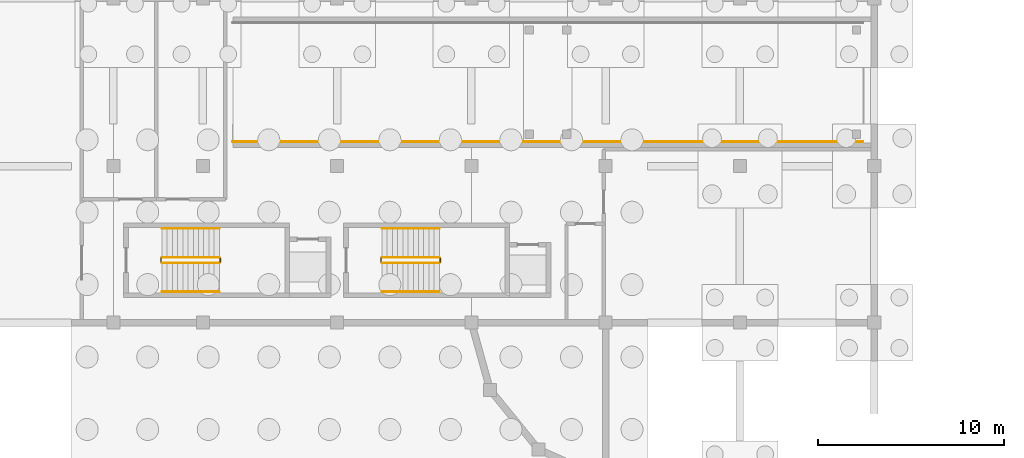
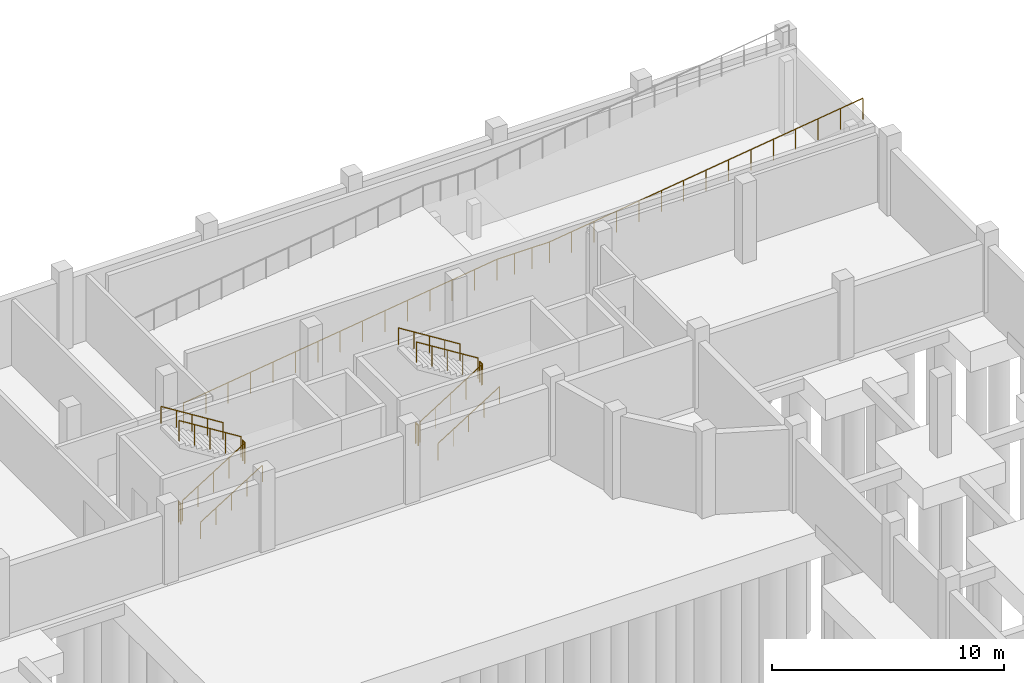
# One storey, part 20 of 22: 13 railings.
"""IFC4 building model written with IfcOpenShell, lengths in metres."""

from ifc_helpers import new_model, si_unit, direction, frame, origin, origin_2d, place, context, subcontext, project, spatial, circle, extrude, material, type_object, element, save


model = new_model("IFC4")

# Units and contexts
model_context = context("Model", 3, precision=1e-05, world=origin(), true_north=direction((0.0, 1.0)))
body_context = subcontext(model_context, "Body", "Model", "MODEL_VIEW")
ifc_project = project(units=[si_unit("LENGTHUNIT", "METRE"), si_unit("AREAUNIT", "SQUARE_METRE"), si_unit("VOLUMEUNIT", "CUBIC_METRE"), si_unit("PLANEANGLEUNIT", "RADIAN"), si_unit("MASSUNIT", "GRAM", prefix="KILO")], contexts=[model_context])

# Site, building, storey
site_placement = place(None, origin())
site = spatial("IfcSite", under=ifc_project, at=site_placement, CompositionType="ELEMENT")
building_placement = place(site_placement, origin())
building = spatial("IfcBuilding", under=site, at=building_placement, Name="Kahlenmark Community Centre", CompositionType="ELEMENT")
storey_placement = place(building_placement, frame((0.0, 0.0, -4.199951171875)))
storey = spatial("IfcBuildingStorey", under=building, at=storey_placement, Name="B1", CompositionType="ELEMENT", Elevation=-4.199951171875)

# Railings
ifc_material_1 = material(Name="Powder-coated galvanized steel balustrade", Category="steel")
railing_type_1 = type_object("IfcRailingType", Name="RLT-BAL-1120", PredefinedType="BALUSTRADE", material=ifc_material_1)
railing_1_placement = place(storey_placement, frame((52.39990234375, 107.31005859375, 0.0)))
element("IfcRailing", 1, at=railing_1_placement, inside=storey, type_object=railing_type_1, Name="Vehicle ramp raking guard S", PredefinedType="BALUSTRADE", context=body_context, shape_type="SweptSolid", body=[
    extrude(circle(Radius=0.02392578125, at=origin_2d()), frame((0.0, 0.0, 1.09619140625), z_axis=(0.991062002435, 0.0, 0.133402051441), x_axis=(0.0, 1.0, 0.0)), (0.0, 0.0, 1.0), 15.74072265625),
    extrude(circle(Radius=0.02392578125, at=origin_2d()), frame((15.60009765625, 0.0, 3.19580078125), z_axis=(1.0, 0.0, 0.0), x_axis=(0.0, 1.0, 0.0)), (0.0, 0.0, 1.0), 2.60009765625),
    extrude(circle(Radius=0.02392578125, at=origin_2d()), frame((18.2001953125, 0.0, 3.19580078125), z_axis=(0.991059675654, 0.0, 0.133419336275), x_axis=(0.0, 1.0, 0.0)), (0.0, 0.0, 1.0), 15.740478515625),
    extrude(circle(Radius=0.02099609375, at=origin_2d()), origin(), (0.0, 0.0, 1.0), 1.072021484375),
    extrude(circle(Radius=0.02099609375, at=origin_2d()), frame((1.1142578125, 0.0, 0.14990234375)), (0.0, 0.0, 1.0), 1.072021484375),
    extrude(circle(Radius=0.02099609375, at=origin_2d()), frame((2.228515625, 0.0, 0.300048828125)), (0.0, 0.0, 1.0), 1.072021484375),
    extrude(circle(Radius=0.02099609375, at=origin_2d()), frame((3.3427734375, 0.0, 0.449951171875)), (0.0, 0.0, 1.0), 1.072021484375),
    extrude(circle(Radius=0.02099609375, at=origin_2d()), frame((4.457275390625, 0.0, 0.599853515625)), (0.0, 0.0, 1.0), 1.072021484375),
    extrude(circle(Radius=0.02099609375, at=origin_2d()), frame((5.571533203125, 0.0, 0.75)), (0.0, 0.0, 1.0), 1.072021484375),
    extrude(circle(Radius=0.02099609375, at=origin_2d()), frame((6.685791015625, 0.0, 0.89990234375)), (0.0, 0.0, 1.0), 1.072021484375),
    extrude(circle(Radius=0.02099609375, at=origin_2d()), frame((7.800048828125, 0.0, 1.0498046875)), (0.0, 0.0, 1.0), 1.072021484375),
    extrude(circle(Radius=0.02099609375, at=origin_2d()), frame((8.914306640625, 0.0, 1.199951171875)), (0.0, 0.0, 1.0), 1.072021484375),
    extrude(circle(Radius=0.02099609375, at=origin_2d()), frame((10.028564453125, 0.0, 1.349853515625)), (0.0, 0.0, 1.0), 1.072021484375),
    extrude(circle(Radius=0.02099609375, at=origin_2d()), frame((11.142822265625, 0.0, 1.5)), (0.0, 0.0, 1.0), 1.072021484375),
    extrude(circle(Radius=0.02099609375, at=origin_2d()), frame((12.25732421875, 0.0, 1.64990234375)), (0.0, 0.0, 1.0), 1.072021484375),
    extrude(circle(Radius=0.02099609375, at=origin_2d()), frame((13.37158203125, 0.0, 1.7998046875)), (0.0, 0.0, 1.0), 1.072021484375),
    extrude(circle(Radius=0.02099609375, at=origin_2d()), frame((14.48583984375, 0.0, 1.949951171875)), (0.0, 0.0, 1.0), 1.072021484375),
    extrude(circle(Radius=0.02099609375, at=origin_2d()), frame((15.60009765625, 0.0, 2.099853515625)), (0.0, 0.0, 1.0), 1.072021484375),
    extrude(circle(Radius=0.02099609375, at=origin_2d()), frame((16.466796875, 0.0, 2.099853515625)), (0.0, 0.0, 1.0), 1.072021484375),
    extrude(circle(Radius=0.02099609375, at=origin_2d()), frame((17.33349609375, 0.0, 2.099853515625)), (0.0, 0.0, 1.0), 1.072021484375),
    extrude(circle(Radius=0.02099609375, at=origin_2d()), frame((18.2001953125, 0.0, 2.099853515625)), (0.0, 0.0, 1.0), 1.072021484375),
    extrude(circle(Radius=0.02099609375, at=origin_2d()), frame((19.314453125, 0.0, 2.249755859375)), (0.0, 0.0, 1.0), 1.072021484375),
    extrude(circle(Radius=0.02099609375, at=origin_2d()), frame((20.4287109375, 0.0, 2.39990234375)), (0.0, 0.0, 1.0), 1.072021484375),
    extrude(circle(Radius=0.02099609375, at=origin_2d()), frame((21.54296875, 0.0, 2.5498046875)), (0.0, 0.0, 1.0), 1.072021484375),
    extrude(circle(Radius=0.02099609375, at=origin_2d()), frame((22.6572265625, 0.0, 2.699951171875)), (0.0, 0.0, 1.0), 1.072021484375),
    extrude(circle(Radius=0.02099609375, at=origin_2d()), frame((23.771484375, 0.0, 2.849853515625)), (0.0, 0.0, 1.0), 1.072021484375),
    extrude(circle(Radius=0.02099609375, at=origin_2d()), frame((24.8857421875, 0.0, 3.0)), (0.0, 0.0, 1.0), 1.072021484375),
    extrude(circle(Radius=0.02099609375, at=origin_2d()), frame((26.0, 0.0, 3.14990234375)), (0.0, 0.0, 1.0), 1.072021484375),
    extrude(circle(Radius=0.02099609375, at=origin_2d()), frame((27.114501953125, 0.0, 3.2998046875)), (0.0, 0.0, 1.0), 1.072021484375),
    extrude(circle(Radius=0.02099609375, at=origin_2d()), frame((28.228759765625, 0.0, 3.449951171875)), (0.0, 0.0, 1.0), 1.072021484375),
    extrude(circle(Radius=0.02099609375, at=origin_2d()), frame((29.343017578125, 0.0, 3.599853515625)), (0.0, 0.0, 1.0), 1.072021484375),
    extrude(circle(Radius=0.02099609375, at=origin_2d()), frame((30.457275390625, 0.0, 3.75)), (0.0, 0.0, 1.0), 1.072021484375),
    extrude(circle(Radius=0.02099609375, at=origin_2d()), frame((31.571533203125, 0.0, 3.89990234375)), (0.0, 0.0, 1.0), 1.072021484375),
    extrude(circle(Radius=0.02099609375, at=origin_2d()), frame((32.685791015625, 0.0, 4.050048828125)), (0.0, 0.0, 1.0), 1.072021484375),
    extrude(circle(Radius=0.02099609375, at=origin_2d()), frame((33.800048828125, 0.0, 4.199951171875)), (0.0, 0.0, 1.0), 1.072021484375),
])
ifc_material_2 = material(Name="Brushed stainless steel 1.4301 handrail", Category="steel")
railing_type_2 = type_object("IfcRailingType", Name="RLT-HR-900", PredefinedType="HANDRAIL", material=ifc_material_2)
railing_2_placement = place(storey_placement, frame((48.60009765625, 99.25, 0.175048828125)))
element("IfcRailing", 2, at=railing_2_placement, inside=storey, type_object=railing_type_2, Name="B1 ST-04 stair handrail 1", PredefinedType="HANDRAIL", context=body_context, shape_type="SweptSolid", body=[
    extrude(circle(Radius=0.02392578125, at=origin_2d()), frame((0.0, 0.0, 0.8759765625), z_axis=(0.848009633417, 0.0, 0.529980812513), x_axis=(0.0, 1.0, 0.0)), (0.0, 0.0, 1.0), 3.6318359375),
    extrude(circle(Radius=0.02099609375, at=origin_2d()), origin(), (0.0, 0.0, 1.0), 0.851806640625),
    extrude(circle(Radius=0.02099609375, at=origin_2d()), frame((0.77001953125, 0.0, 0.481201171875)), (0.0, 0.0, 1.0), 0.851806640625),
    extrude(circle(Radius=0.02099609375, at=origin_2d()), frame((1.5400390625, 0.0, 0.96240234375)), (0.0, 0.0, 1.0), 0.851806640625),
    extrude(circle(Radius=0.02099609375, at=origin_2d()), frame((2.309814453125, 0.0, 1.443603515625)), (0.0, 0.0, 1.0), 0.851806640625),
    extrude(circle(Radius=0.02099609375, at=origin_2d()), frame((3.079833984375, 0.0, 1.9248046875)), (0.0, 0.0, 1.0), 0.851806640625),
])
railing_3_placement = place(storey_placement, frame((51.679931640625, 102.64990234375, 2.27490234375)))
element("IfcRailing", 3, at=railing_3_placement, inside=storey, type_object=railing_type_2, Name="B1 ST-04 stair handrail 2", PredefinedType="HANDRAIL", context=body_context, shape_type="SweptSolid", body=[
    extrude(circle(Radius=0.02392578125, at=origin_2d()), frame((0.0, 0.0, 0.8759765625), z_axis=(-0.847979421464, 0.0, 0.530029150871), x_axis=(0.0, -1.0, 0.0)), (0.0, 0.0, 1.0), 3.632080078125),
    extrude(circle(Radius=0.02099609375, at=origin_2d()), origin(), (0.0, 0.0, 1.0), 0.851806640625),
    extrude(circle(Radius=0.02099609375, at=origin_2d()), frame((-0.77001953125, 0.0, 0.481201171875)), (0.0, 0.0, 1.0), 0.851806640625),
    extrude(circle(Radius=0.02099609375, at=origin_2d()), frame((-1.5400390625, 0.0, 0.96240234375)), (0.0, 0.0, 1.0), 0.851806640625),
    extrude(circle(Radius=0.02099609375, at=origin_2d()), frame((-2.309814453125, 0.0, 1.44384765625)), (0.0, 0.0, 1.0), 0.851806640625),
    extrude(circle(Radius=0.02099609375, at=origin_2d()), frame((-3.079833984375, 0.0, 1.925048828125)), (0.0, 0.0, 1.0), 0.851806640625),
])
railing_4_placement = place(storey_placement, frame((60.39990234375, 99.25, 0.175048828125)))
element("IfcRailing", 4, at=railing_4_placement, inside=storey, type_object=railing_type_2, Name="B1 ST-05 stair handrail 1", PredefinedType="HANDRAIL", context=body_context, shape_type="SweptSolid", body=[
    extrude(circle(Radius=0.02392578125, at=origin_2d()), frame((0.0, 0.0, 0.8759765625), z_axis=(0.848028513186, 0.0, 0.529950602248), x_axis=(0.0, 1.0, 0.0)), (0.0, 0.0, 1.0), 3.632080078125),
    extrude(circle(Radius=0.02099609375, at=origin_2d()), origin(), (0.0, 0.0, 1.0), 0.851806640625),
    extrude(circle(Radius=0.02099609375, at=origin_2d()), frame((0.77001953125, 0.0, 0.481201171875)), (0.0, 0.0, 1.0), 0.851806640625),
    extrude(circle(Radius=0.02099609375, at=origin_2d()), frame((1.5400390625, 0.0, 0.96240234375)), (0.0, 0.0, 1.0), 0.851806640625),
    extrude(circle(Radius=0.02099609375, at=origin_2d()), frame((2.31005859375, 0.0, 1.443603515625)), (0.0, 0.0, 1.0), 0.851806640625),
    extrude(circle(Radius=0.02099609375, at=origin_2d()), frame((3.080078125, 0.0, 1.9248046875)), (0.0, 0.0, 1.0), 0.851806640625),
])
railing_5_placement = place(storey_placement, frame((63.47998046875, 102.64990234375, 2.27490234375)))
element("IfcRailing", 5, at=railing_5_placement, inside=storey, type_object=railing_type_2, Name="B1 ST-05 stair handrail 2", PredefinedType="HANDRAIL", context=body_context, shape_type="SweptSolid", body=[
    extrude(circle(Radius=0.02392578125, at=origin_2d()), frame((0.0, 0.0, 0.8759765625), z_axis=(-0.847998304005, 0.0, 0.529998940003), x_axis=(0.0, -1.0, 0.0)), (0.0, 0.0, 1.0), 3.632080078125),
    extrude(circle(Radius=0.02099609375, at=origin_2d()), origin(), (0.0, 0.0, 1.0), 0.851806640625),
    extrude(circle(Radius=0.02099609375, at=origin_2d()), frame((-0.77001953125, 0.0, 0.481201171875)), (0.0, 0.0, 1.0), 0.851806640625),
    extrude(circle(Radius=0.02099609375, at=origin_2d()), frame((-1.5400390625, 0.0, 0.96240234375)), (0.0, 0.0, 1.0), 0.851806640625),
    extrude(circle(Radius=0.02099609375, at=origin_2d()), frame((-2.31005859375, 0.0, 1.44384765625)), (0.0, 0.0, 1.0), 0.851806640625),
    extrude(circle(Radius=0.02099609375, at=origin_2d()), frame((-3.080078125, 0.0, 1.925048828125)), (0.0, 0.0, 1.0), 0.851806640625),
])
ifc_material_3 = material(Name="Powder-coated steel stair well guard", Category="steel")
railing_type_3 = type_object("IfcRailingType", Name="RLT-SG-1120", PredefinedType="GUARDRAIL", material=ifc_material_3)
railing_6_placement = place(storey_placement, frame((48.60009765625, 100.800048828125, 0.175048828125)))
element("IfcRailing", 6, at=railing_6_placement, inside=storey, type_object=railing_type_3, Name="B1 ST-04 stair guard 1", PredefinedType="GUARDRAIL", context=body_context, shape_type="SweptSolid", body=[
    extrude(circle(Radius=0.02392578125, at=origin_2d()), frame((0.0, 0.0, 1.076171875), z_axis=(0.848009633417, 0.0, 0.529980812513), x_axis=(0.0, 1.0, 0.0)), (0.0, 0.0, 1.0), 3.6318359375),
    extrude(circle(Radius=0.02099609375, at=origin_2d()), origin(), (0.0, 0.0, 1.0), 1.052001953125),
    extrude(circle(Radius=0.02099609375, at=origin_2d()), frame((0.77001953125, 0.0, 0.481201171875)), (0.0, 0.0, 1.0), 1.052001953125),
    extrude(circle(Radius=0.02099609375, at=origin_2d()), frame((1.5400390625, 0.0, 0.96240234375)), (0.0, 0.0, 1.0), 1.052001953125),
    extrude(circle(Radius=0.02099609375, at=origin_2d()), frame((2.309814453125, 0.0, 1.443603515625)), (0.0, 0.0, 1.0), 1.052001953125),
    extrude(circle(Radius=0.02099609375, at=origin_2d()), frame((3.079833984375, 0.0, 1.9248046875)), (0.0, 0.0, 1.0), 1.052001953125),
])
railing_7_placement = place(storey_placement, frame((51.72998046875, 100.85009765625, 2.099853515625)))
element("IfcRailing", 7, at=railing_7_placement, inside=storey, type_object=railing_type_3, Name="B1 ST-04 stair guard 2", PredefinedType="GUARDRAIL", context=body_context, shape_type="SweptSolid", body=[
    extrude(circle(Radius=0.02392578125, at=origin_2d()), frame((0.0, 0.0, 1.076171875), z_axis=(0.0, 1.0, 0.0), x_axis=(-1.0, 0.0, 0.0)), (0.0, 0.0, 1.0), 0.199951171875),
    extrude(circle(Radius=0.02099609375, at=origin_2d()), origin(), (0.0, 0.0, 1.0), 1.052001953125),
    extrude(circle(Radius=0.02099609375, at=origin_2d()), frame((0.0, 0.199951171875, 0.0)), (0.0, 0.0, 1.0), 1.052001953125),
])
railing_8_placement = place(storey_placement, frame((51.679931640625, 101.10009765625, 2.27490234375)))
element("IfcRailing", 8, at=railing_8_placement, inside=storey, type_object=railing_type_3, Name="B1 ST-04 stair guard 3", PredefinedType="GUARDRAIL", context=body_context, shape_type="SweptSolid", body=[
    extrude(circle(Radius=0.02392578125, at=origin_2d()), frame((0.0, 0.0, 1.076171875), z_axis=(-0.847979421464, 0.0, 0.530029150871), x_axis=(0.0, -1.0, 0.0)), (0.0, 0.0, 1.0), 3.632080078125),
    extrude(circle(Radius=0.02099609375, at=origin_2d()), origin(), (0.0, 0.0, 1.0), 1.052001953125),
    extrude(circle(Radius=0.02099609375, at=origin_2d()), frame((-0.77001953125, 0.0, 0.481201171875)), (0.0, 0.0, 1.0), 1.052001953125),
    extrude(circle(Radius=0.02099609375, at=origin_2d()), frame((-1.5400390625, 0.0, 0.96240234375)), (0.0, 0.0, 1.0), 1.052001953125),
    extrude(circle(Radius=0.02099609375, at=origin_2d()), frame((-2.309814453125, 0.0, 1.44384765625)), (0.0, 0.0, 1.0), 1.052001953125),
    extrude(circle(Radius=0.02099609375, at=origin_2d()), frame((-3.079833984375, 0.0, 1.925048828125)), (0.0, 0.0, 1.0), 1.052001953125),
])
railing_9_placement = place(storey_placement, frame((48.550048828125, 100.85009765625, 0.0)))
element("IfcRailing", 9, at=railing_9_placement, inside=storey, type_object=railing_type_3, Name="B1 ST-04 stair guard 4", PredefinedType="GUARDRAIL", context=body_context, shape_type="SweptSolid", body=[
    extrude(circle(Radius=0.02392578125, at=origin_2d()), frame((0.0, 0.0, 1.076171875), z_axis=(0.0, 1.0, 0.0), x_axis=(-1.0, 0.0, 0.0)), (0.0, 0.0, 1.0), 0.199951171875),
    extrude(circle(Radius=0.02099609375, at=origin_2d()), origin(), (0.0, 0.0, 1.0), 1.052001953125),
    extrude(circle(Radius=0.02099609375, at=origin_2d()), frame((0.0, 0.199951171875, 0.0)), (0.0, 0.0, 1.0), 1.052001953125),
])
railing_10_placement = place(storey_placement, frame((60.39990234375, 100.800048828125, 0.175048828125)))
element("IfcRailing", 10, at=railing_10_placement, inside=storey, type_object=railing_type_3, Name="B1 ST-05 stair guard 1", PredefinedType="GUARDRAIL", context=body_context, shape_type="SweptSolid", body=[
    extrude(circle(Radius=0.02392578125, at=origin_2d()), frame((0.0, 0.0, 1.076171875), z_axis=(0.848028513186, 0.0, 0.529950602248), x_axis=(0.0, 1.0, 0.0)), (0.0, 0.0, 1.0), 3.632080078125),
    extrude(circle(Radius=0.02099609375, at=origin_2d()), origin(), (0.0, 0.0, 1.0), 1.052001953125),
    extrude(circle(Radius=0.02099609375, at=origin_2d()), frame((0.77001953125, 0.0, 0.481201171875)), (0.0, 0.0, 1.0), 1.052001953125),
    extrude(circle(Radius=0.02099609375, at=origin_2d()), frame((1.5400390625, 0.0, 0.96240234375)), (0.0, 0.0, 1.0), 1.052001953125),
    extrude(circle(Radius=0.02099609375, at=origin_2d()), frame((2.31005859375, 0.0, 1.443603515625)), (0.0, 0.0, 1.0), 1.052001953125),
    extrude(circle(Radius=0.02099609375, at=origin_2d()), frame((3.080078125, 0.0, 1.9248046875)), (0.0, 0.0, 1.0), 1.052001953125),
])
railing_11_placement = place(storey_placement, frame((63.530029296875, 100.85009765625, 2.099853515625)))
element("IfcRailing", 11, at=railing_11_placement, inside=storey, type_object=railing_type_3, Name="B1 ST-05 stair guard 2", PredefinedType="GUARDRAIL", context=body_context, shape_type="SweptSolid", body=[
    extrude(circle(Radius=0.02392578125, at=origin_2d()), frame((0.0, 0.0, 1.076171875), z_axis=(0.0, 1.0, 0.0), x_axis=(-1.0, 0.0, 0.0)), (0.0, 0.0, 1.0), 0.199951171875),
    extrude(circle(Radius=0.02099609375, at=origin_2d()), origin(), (0.0, 0.0, 1.0), 1.052001953125),
    extrude(circle(Radius=0.02099609375, at=origin_2d()), frame((0.0, 0.199951171875, 0.0)), (0.0, 0.0, 1.0), 1.052001953125),
])
railing_12_placement = place(storey_placement, frame((63.47998046875, 101.10009765625, 2.27490234375)))
element("IfcRailing", 12, at=railing_12_placement, inside=storey, type_object=railing_type_3, Name="B1 ST-05 stair guard 3", PredefinedType="GUARDRAIL", context=body_context, shape_type="SweptSolid", body=[
    extrude(circle(Radius=0.02392578125, at=origin_2d()), frame((0.0, 0.0, 1.076171875), z_axis=(-0.847998304005, 0.0, 0.529998940003), x_axis=(0.0, -1.0, 0.0)), (0.0, 0.0, 1.0), 3.632080078125),
    extrude(circle(Radius=0.02099609375, at=origin_2d()), origin(), (0.0, 0.0, 1.0), 1.052001953125),
    extrude(circle(Radius=0.02099609375, at=origin_2d()), frame((-0.77001953125, 0.0, 0.481201171875)), (0.0, 0.0, 1.0), 1.052001953125),
    extrude(circle(Radius=0.02099609375, at=origin_2d()), frame((-1.5400390625, 0.0, 0.96240234375)), (0.0, 0.0, 1.0), 1.052001953125),
    extrude(circle(Radius=0.02099609375, at=origin_2d()), frame((-2.31005859375, 0.0, 1.44384765625)), (0.0, 0.0, 1.0), 1.052001953125),
    extrude(circle(Radius=0.02099609375, at=origin_2d()), frame((-3.080078125, 0.0, 1.925048828125)), (0.0, 0.0, 1.0), 1.052001953125),
])
railing_13_placement = place(storey_placement, frame((60.35009765625, 100.85009765625, 0.0)))
element("IfcRailing", 13, at=railing_13_placement, inside=storey, type_object=railing_type_3, Name="B1 ST-05 stair guard 4", PredefinedType="GUARDRAIL", context=body_context, shape_type="SweptSolid", body=[
    extrude(circle(Radius=0.02392578125, at=origin_2d()), frame((0.0, 0.0, 1.076171875), z_axis=(0.0, 1.0, 0.0), x_axis=(-1.0, 0.0, 0.0)), (0.0, 0.0, 1.0), 0.199951171875),
    extrude(circle(Radius=0.02099609375, at=origin_2d()), origin(), (0.0, 0.0, 1.0), 1.052001953125),
    extrude(circle(Radius=0.02099609375, at=origin_2d()), frame((0.0, 0.199951171875, 0.0)), (0.0, 0.0, 1.0), 1.052001953125),
])

save(model, "model.ifc")
